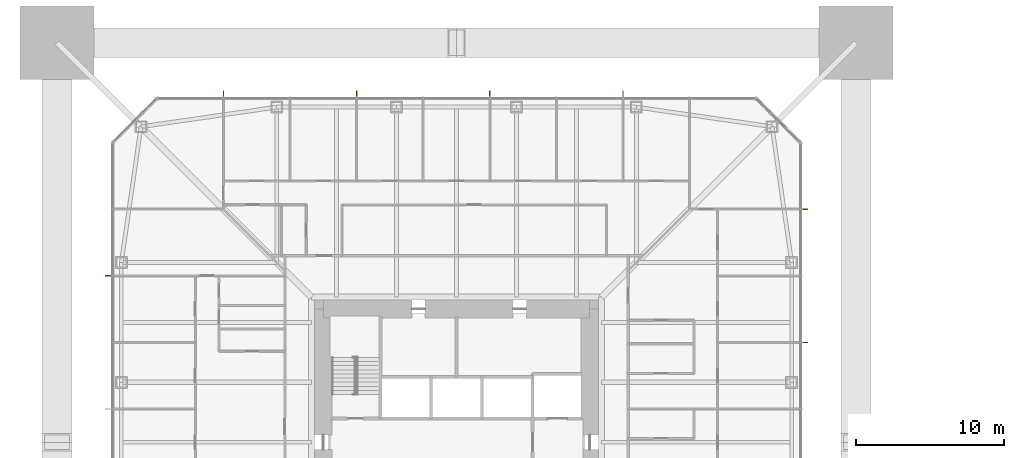
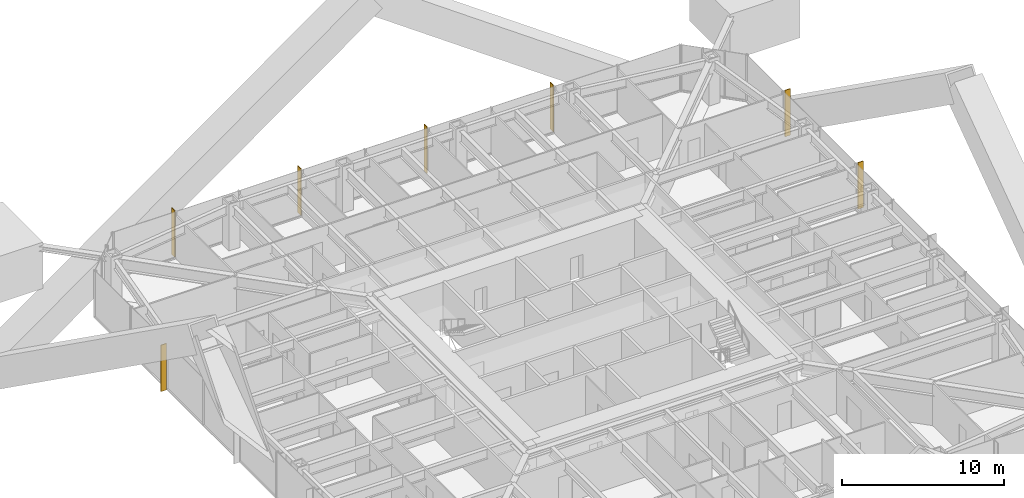
# One storey, part 27 of 28: 7 shading devices.
"""IFC4 building model written with IfcOpenShell, lengths in metres."""

from ifc_helpers import new_model, si_unit, direction, frame, origin, origin_2d, place, context, subcontext, project, spatial, rectangle, extrude, material, layer, layer_set, type_object, element, save


model = new_model("IFC4")

# Units and contexts
model_context = context("Model", 3, precision=1e-05, world=origin(), true_north=direction((0.0, 1.0)))
body_context = subcontext(model_context, "Body", "Model", "MODEL_VIEW")
ifc_project = project(units=[si_unit("LENGTHUNIT", "METRE"), si_unit("AREAUNIT", "SQUARE_METRE"), si_unit("VOLUMEUNIT", "CUBIC_METRE"), si_unit("PLANEANGLEUNIT", "RADIAN"), si_unit("MASSUNIT", "GRAM", prefix="KILO")], contexts=[model_context])

# Site, building, storey
site_placement = place(None, origin())
site = spatial("IfcSite", under=ifc_project, at=site_placement, CompositionType="ELEMENT")
building_placement = place(site_placement, origin())
building = spatial("IfcBuilding", under=site, at=building_placement, Name="Iwan Alto Co-Living Towers", CompositionType="ELEMENT")
storey_placement = place(building_placement, frame((0.0, 0.0, 43.0)))
storey = spatial("IfcBuildingStorey", under=building, at=storey_placement, Name="L11", CompositionType="ELEMENT", Elevation=43.0)

# Shading devices
ifc_material = material(Name="Aluminium 6063-T6 bronze anodised", Category="aluminium")
ifc_layer = layer(ifc_material, 0.050048828125)
ifc_layer_set = layer_set([ifc_layer], Name="BRONZE FIN 50X400")
shading_device_type = type_object("IfcShadingDeviceType", Name="BRONZE FIN 50X400", PredefinedType="USERDEFINED", material=ifc_layer_set)
for number, where, z_axis, x_axis, name in (
    (1, (23.550048828125, 6.75, 0.0), (0.0, 0.0, 1.0), (0.0, 1.0, 0.0), "Bronze fin L11"),
    (2, (23.550048828125, 15.75, 0.0), (0.0, 0.0, 1.0), (0.0, 1.0, 0.0), "Bronze fin L11"),
    (3, (11.25, 23.550048828125, 0.0), (0.0, 0.0, 1.0), (-1.0, 0.0, 0.0), "Bronze fin L11"),
    (4, (2.25, 23.550048828125, 0.0), (0.0, 0.0, 1.0), (-1.0, 0.0, 0.0), "Bronze fin L11"),
    (5, (-6.75, 23.550048828125, 0.0), (0.0, 0.0, 1.0), (-1.0, 0.0, 0.0), "Bronze fin L11"),
    (6, (-15.75, 23.550048828125, 0.0), (0.0, 0.0, 1.0), (-1.0, 0.0, 0.0), "Bronze fin L11"),
    (7, (-23.550048828125, 11.25, 0.0), (0.0, 0.0, 1.0), (0.0, -1.0, 0.0), "Bronze fin L11"),
):
    element("IfcShadingDevice", number, at=place(storey_placement, frame(where, z_axis=z_axis, x_axis=x_axis)), inside=storey, type_object=shading_device_type, Name=name, ObjectType="LOUVER", PredefinedType="USERDEFINED", context=body_context, shape_type="SweptSolid", body=[
        extrude(rectangle(XDim=0.050048828125, YDim=0.39990234375, at=origin_2d()), origin(), (0.0, 0.0, 1.0), 3.5),
    ])

save(model, "model.ifc")
